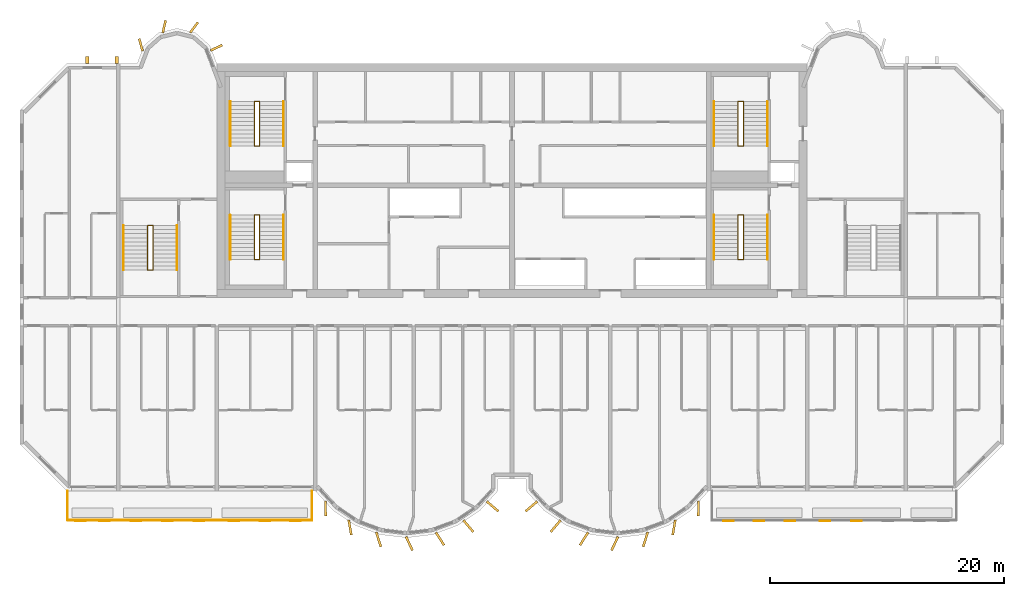
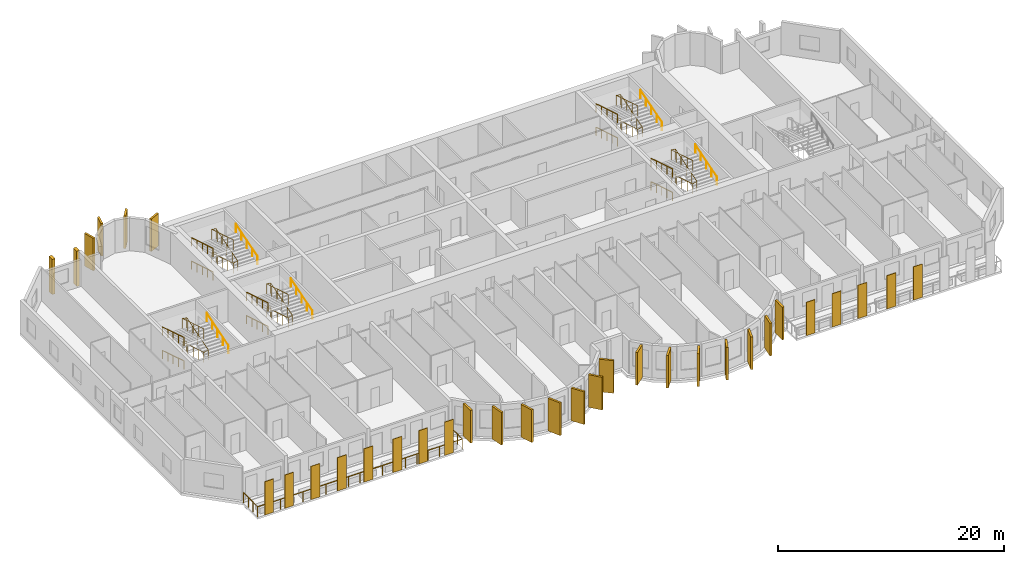
# One storey, part 11 of 13: 33 coverings, 21 railings.
"""IFC4 building model written with IfcOpenShell, lengths in metres."""

from ifc_helpers import new_model, si_unit, direction, frame, origin, origin_2d, place, context, subcontext, project, spatial, rectangle, circle, extrude, source, transform, mapped, material, layer, layer_set, material_profile, profile_set, type_object, element, save


model = new_model("IFC4")

# Units and contexts
model_context = context("Model", 3, precision=1e-05, world=origin(), true_north=direction((0.0, 1.0)))
body_context = subcontext(model_context, "Body", "Model", "MODEL_VIEW")
ifc_project = project(units=[si_unit("LENGTHUNIT", "METRE"), si_unit("AREAUNIT", "SQUARE_METRE"), si_unit("VOLUMEUNIT", "CUBIC_METRE"), si_unit("PLANEANGLEUNIT", "RADIAN"), si_unit("MASSUNIT", "GRAM", prefix="KILO")], contexts=[model_context])

# Site, building, storey
site_placement = place(None, origin())
site = spatial("IfcSite", under=ifc_project, at=site_placement, CompositionType="ELEMENT")
building_placement = place(site_placement, origin())
building = spatial("IfcBuilding", under=site, at=building_placement, Name="Vanashikhar Sky Hotel", CompositionType="ELEMENT")
storey_placement = place(building_placement, frame((0.0, 0.0, 174.39990234375)))
storey = spatial("IfcBuildingStorey", under=building, at=storey_placement, Name="L42", CompositionType="ELEMENT", Elevation=174.39990234375)

# Coverings
ifc_material_1 = material(Name="Terracotta", Category="masonry")
ifc_layer = layer(ifc_material_1, 0.06005859375)
ifc_layer_set = layer_set([ifc_layer], Name="Terracotta baguette screen")
covering_type_1 = type_object("IfcCoveringType", Name="Terracotta baguette screen", PredefinedType="CLADDING", material=ifc_layer_set)
shared_shape_1 = source(origin(), body_context, "Body", "SweptSolid", [
    extrude(rectangle(XDim=0.89990234375, YDim=0.06005859375, at=origin_2d()), origin(), (0.0, 0.0, 1.0), 3.60009765625),
])
for number, where, z_axis, x_axis, name in (
    (1, (13.574951171875, 2.929931640625, -0.050048828125), (0.0, 0.0, 1.0), (1.0, 0.0, 0.0), "Terracotta screen"),
    (2, (15.625, 2.929931640625, -0.050048828125), (0.0, 0.0, 1.0), (1.0, 0.0, 0.0), "Terracotta screen"),
    (3, (18.300048828125, 2.929931640625, -0.050048828125), (0.0, 0.0, 1.0), (1.0, 0.0, 0.0), "Terracotta screen"),
    (4, (21.0, 2.929931640625, -0.050048828125), (0.0, 0.0, 1.0), (1.0, 0.0, 0.0), "Terracotta screen"),
    (5, (23.699951171875, 2.929931640625, -0.050048828125), (0.0, 0.0, 1.0), (1.0, 0.0, 0.0), "Terracotta screen"),
    (6, (26.666748046875, 2.929931640625, -0.050048828125), (0.0, 0.0, 1.0), (1.0, 0.0, 0.0), "Terracotta screen"),
    (7, (29.300048828125, 2.929931640625, -0.050048828125), (0.0, 0.0, 1.0), (1.0, 0.0, 0.0), "Terracotta screen"),
    (8, (31.933349609375, 2.929931640625, -0.050048828125), (0.0, 0.0, 1.0), (1.0, 0.0, 0.0), "Terracotta screen"),
    (9, (68.86669921875, 2.929931640625, -0.050048828125), (0.0, 0.0, 1.0), (1.0, 0.0, 0.0), "Terracotta screen"),
    (10, (71.5, 2.929931640625, -0.050048828125), (0.0, 0.0, 1.0), (1.0, 0.0, 0.0), "Terracotta screen"),
    (11, (74.13330078125, 2.929931640625, -0.050048828125), (0.0, 0.0, 1.0), (1.0, 0.0, 0.0), "Terracotta screen"),
    (12, (77.10009765625, 2.929931640625, -0.050048828125), (0.0, 0.0, 1.0), (1.0, 0.0, 0.0), "Terracotta screen"),
    (13, (79.800048828125, 2.929931640625, -0.050048828125), (0.0, 0.0, 1.0), (1.0, 0.0, 0.0), "Terracotta screen"),
):
    element("IfcCovering", number, at=place(storey_placement, frame(where, z_axis=z_axis, x_axis=x_axis)), inside=storey, type_object=covering_type_1, Name=name, PredefinedType="CLADDING", context=body_context, shape_type="MappedRepresentation", body=[
        mapped(shared_shape_1, transform((0.0, 0.0, 0.0), scale=1.0)),
    ])
ifc_material_2 = material(Name="Concrete M60 dark", Category="concrete")
ifc_material_profile_1 = material_profile(ifc_material_2, rectangle(XDim=1.300048828125, YDim=0.199951171875, at=origin_2d()))
ifc_profile_set_1 = profile_set([ifc_material_profile_1], Name="Fin 1300 x 200")
covering_type_2 = type_object("IfcCoveringType", Name="Fin 1300 x 200", PredefinedType="CLADDING", material=ifc_profile_set_1)
shared_shape_2 = source(origin(), body_context, "Body", "SweptSolid", [
    extrude(rectangle(XDim=1.300048828125, YDim=0.199951171875, at=origin_2d()), origin(), (0.0, 0.0, 1.0), 3.52001953125),
])
for number, where, z_axis, x_axis, name in (
    (14, (34.482421875, 3.992919921875, 0.0), (0.0, 0.0, 1.0), (0.011588726826, -0.999932848451, 0.0), "Fin F1-1"),
    (15, (36.572509765625, 2.3779296875, 0.0), (0.0, 0.0, 1.0), (0.16989991575, -0.985461322746, 0.0), "Fin F1-2"),
    (16, (39.00830078125, 1.35693359375, 0.0), (0.0, 0.0, 1.0), (0.303966551867, -0.952682704444, 0.0), "Fin F1-3"),
    (17, (41.63232421875, 1.00146484375, 0.0), (0.0, 0.0, 1.0), (0.422618261741, -0.906307787037, 0.0), "Fin F1-4"),
    (18, (44.251953125, 1.416015625, 0.0), (0.0, 0.0, 1.0), (0.534411358496, -0.845224526331, 0.0), "Fin F1-5"),
    (19, (46.676025390625, 2.5, 0.0), (0.0, 0.0, 1.0), (0.645697609467, -0.763593214433, 0.0), "Fin F1-6"),
    (20, (48.7412109375, 4.1845703125, 0.0), (0.0, 0.0, 1.0), (0.758543912032, -0.65162192529, 0.0), "Fin F1-7"),
    (21, (52.058837890625, 4.1845703125, 0.0), (0.0, 0.0, 1.0), (-0.758543912032, -0.65162192529, 0.0), "Fin F2-1"),
    (22, (54.123779296875, 2.5, 0.0), (0.0, 0.0, 1.0), (-0.645697609467, -0.763593214433, 0.0), "Fin F2-2"),
    (23, (56.547119140625, 1.416015625, 0.0), (0.0, 0.0, 1.0), (-0.534411358496, -0.845224526331, 0.0), "Fin F2-3"),
    (24, (59.16748046875, 1.00146484375, 0.0), (0.0, 0.0, 1.0), (-0.422618261741, -0.906307787037, 0.0), "Fin F2-4"),
    (25, (61.790771484375, 1.35693359375, 0.0), (0.0, 0.0, 1.0), (-0.303966551867, -0.952682704444, 0.0), "Fin F2-5"),
    (26, (64.2275390625, 2.3779296875, 0.0), (0.0, 0.0, 1.0), (-0.16989991575, -0.985461322746, 0.0), "Fin F2-6"),
    (27, (66.317626953125, 3.992919921875, 0.0), (0.0, 0.0, 1.0), (-0.011588726826, -0.999932848451, 0.0), "Fin F2-7"),
):
    element("IfcCovering", number, at=place(storey_placement, frame(where, z_axis=z_axis, x_axis=x_axis)), inside=storey, type_object=covering_type_2, Name=name, PredefinedType="CLADDING", context=body_context, shape_type="MappedRepresentation", body=[
        mapped(shared_shape_2, transform((0.0, 0.0, 0.0), scale=1.0)),
    ])
ifc_material_profile_2 = material_profile(ifc_material_2, rectangle(XDim=1.10009765625, YDim=0.199951171875, at=origin_2d()))
ifc_profile_set_2 = profile_set([ifc_material_profile_2], Name="Rear lobe fin 1100 x 200")
covering_type_3 = type_object("IfcCoveringType", Name="Rear lobe fin 1100 x 200", PredefinedType="CLADDING", material=ifc_profile_set_2)
shared_shape_3 = source(origin(), body_context, "Body", "SweptSolid", [
    extrude(rectangle(XDim=1.10009765625, YDim=0.199951171875, at=origin_2d()), origin(), (0.0, 0.0, 1.0), 3.52001953125),
])
for number, where, z_axis, x_axis, name in (
    (28, (18.720703125, 43.580078125, 0.0), (0.0, 0.0, 1.0), (-0.262711264409, 0.964874495234, 0.0), "Fin R1-1"),
    (29, (20.710205078125, 45.1455078125, 0.0), (0.0, 0.0, 1.0), (0.224644935864, 0.974440687159, 0.0), "Fin R1-2"),
    (30, (23.261962890625, 45.06640625, 0.0), (0.0, 0.0, 1.0), (0.602065892195, 0.798446404874, 0.0), "Fin R1-3"),
    (31, (25.169677734375, 43.33447265625, 0.0), (0.0, 0.0, 1.0), (0.908004291068, 0.418960866193, 0.0), "Fin R1-4"),
):
    element("IfcCovering", number, at=place(storey_placement, frame(where, z_axis=z_axis, x_axis=x_axis)), inside=storey, type_object=covering_type_3, Name=name, PredefinedType="CLADDING", context=body_context, shape_type="MappedRepresentation", body=[
        mapped(shared_shape_3, transform((0.0, 0.0, 0.0), scale=1.0)),
    ])

# Railing
ifc_material_3 = material(Name="Stainless steel 316", Category="steel")
railing_type_1 = type_object("IfcRailingType", Name="Balcony guard 1100", PredefinedType="GUARDRAIL", material=ifc_material_3)
shared_shape_4 = source(origin(), body_context, "Body", "SweptSolid", [
    extrude(circle(Radius=0.02392578125, at=origin_2d()), frame((0.0, 0.0, 1.076171875), z_axis=(0.0, -1.0, 0.0), x_axis=(1.0, 0.0, 0.0)), (0.0, 0.0, 1.0), 2.5),
    extrude(circle(Radius=0.02392578125, at=origin_2d()), frame((0.0, -2.5, 1.076171875), z_axis=(1.0, 0.0, 0.0), x_axis=(0.0, 1.0, 0.0)), (0.0, 0.0, 1.0), 20.880126953125),
    extrude(circle(Radius=0.02392578125, at=origin_2d()), frame((20.880126953125, -2.5, 1.076171875), z_axis=(0.0, 1.0, 0.0), x_axis=(-1.0, 0.0, 0.0)), (0.0, 0.0, 1.0), 2.5),
    extrude(circle(Radius=0.02099609375, at=origin_2d()), origin(), (0.0, 0.0, 1.0), 1.052001953125),
    extrude(circle(Radius=0.02099609375, at=origin_2d()), frame((0.0, -0.833251953125, 0.0)), (0.0, 0.0, 1.0), 1.052001953125),
    extrude(circle(Radius=0.02099609375, at=origin_2d()), frame((0.0, -1.666748046875, 0.0)), (0.0, 0.0, 1.0), 1.052001953125),
    extrude(circle(Radius=0.02099609375, at=origin_2d()), frame((0.0, -2.5, 0.0)), (0.0, 0.0, 1.0), 1.052001953125),
    extrude(circle(Radius=0.02099609375, at=origin_2d()), frame((1.159912109375, -2.5, 0.0)), (0.0, 0.0, 1.0), 1.052001953125),
    extrude(circle(Radius=0.02099609375, at=origin_2d()), frame((2.320068359375, -2.5, 0.0)), (0.0, 0.0, 1.0), 1.052001953125),
    extrude(circle(Radius=0.02099609375, at=origin_2d()), frame((3.47998046875, -2.5, 0.0)), (0.0, 0.0, 1.0), 1.052001953125),
    extrude(circle(Radius=0.02099609375, at=origin_2d()), frame((4.64013671875, -2.5, 0.0)), (0.0, 0.0, 1.0), 1.052001953125),
    extrude(circle(Radius=0.02099609375, at=origin_2d()), frame((5.800048828125, -2.5, 0.0)), (0.0, 0.0, 1.0), 1.052001953125),
    extrude(circle(Radius=0.02099609375, at=origin_2d()), frame((6.9599609375, -2.5, 0.0)), (0.0, 0.0, 1.0), 1.052001953125),
    extrude(circle(Radius=0.02099609375, at=origin_2d()), frame((8.1201171875, -2.5, 0.0)), (0.0, 0.0, 1.0), 1.052001953125),
    extrude(circle(Radius=0.02099609375, at=origin_2d()), frame((9.280029296875, -2.5, 0.0)), (0.0, 0.0, 1.0), 1.052001953125),
    extrude(circle(Radius=0.02099609375, at=origin_2d()), frame((10.43994140625, -2.5, 0.0)), (0.0, 0.0, 1.0), 1.052001953125),
    extrude(circle(Radius=0.02099609375, at=origin_2d()), frame((11.60009765625, -2.5, 0.0)), (0.0, 0.0, 1.0), 1.052001953125),
    extrude(circle(Radius=0.02099609375, at=origin_2d()), frame((12.760009765625, -2.5, 0.0)), (0.0, 0.0, 1.0), 1.052001953125),
    extrude(circle(Radius=0.02099609375, at=origin_2d()), frame((13.920166015625, -2.5, 0.0)), (0.0, 0.0, 1.0), 1.052001953125),
    extrude(circle(Radius=0.02099609375, at=origin_2d()), frame((15.080078125, -2.5, 0.0)), (0.0, 0.0, 1.0), 1.052001953125),
    extrude(circle(Radius=0.02099609375, at=origin_2d()), frame((16.239990234375, -2.5, 0.0)), (0.0, 0.0, 1.0), 1.052001953125),
    extrude(circle(Radius=0.02099609375, at=origin_2d()), frame((17.400146484375, -2.5, 0.0)), (0.0, 0.0, 1.0), 1.052001953125),
    extrude(circle(Radius=0.02099609375, at=origin_2d()), frame((18.56005859375, -2.5, 0.0)), (0.0, 0.0, 1.0), 1.052001953125),
    extrude(circle(Radius=0.02099609375, at=origin_2d()), frame((19.72021484375, -2.5, 0.0)), (0.0, 0.0, 1.0), 1.052001953125),
    extrude(circle(Radius=0.02099609375, at=origin_2d()), frame((20.880126953125, -2.5, 0.0)), (0.0, 0.0, 1.0), 1.052001953125),
    extrude(circle(Radius=0.02099609375, at=origin_2d()), frame((20.880126953125, -1.666748046875, 0.0)), (0.0, 0.0, 1.0), 1.052001953125),
    extrude(circle(Radius=0.02099609375, at=origin_2d()), frame((20.880126953125, -0.833251953125, 0.0)), (0.0, 0.0, 1.0), 1.052001953125),
    extrude(circle(Radius=0.02099609375, at=origin_2d()), frame((20.880126953125, 0.0, 0.0)), (0.0, 0.0, 1.0), 1.052001953125),
])
railing_1_placement = place(storey_placement, frame((12.4599609375, 5.5, -0.0498046875)))
element("IfcRailing", 32, at=railing_1_placement, inside=storey, type_object=railing_type_1, Name="Balcony guard", PredefinedType="GUARDRAIL", context=body_context, shape_type="MappedRepresentation", body=[
    mapped(shared_shape_4, transform((0.0, 0.0, 0.0), scale=1.0)),
])

# Coverings
ifc_material_profile_3 = material_profile(ifc_material_2, rectangle(XDim=0.60009765625, YDim=0.300048828125, at=origin_2d()))
ifc_profile_set_3 = profile_set([ifc_material_profile_3], Name="Rear rib 600 x 300")
covering_type_4 = type_object("IfcCoveringType", Name="Rear rib 600 x 300", PredefinedType="CLADDING", material=ifc_profile_set_3)
shared_shape_5 = source(origin(), body_context, "Body", "SweptSolid", [
    extrude(rectangle(XDim=0.60009765625, YDim=0.300048828125, at=origin_2d()), origin(), (0.0, 0.0, 1.0), 3.7998046875),
])
for number, where, z_axis, x_axis, name in (
    (33, (14.14990234375, 42.300048828125, -0.27978515625), (0.0, 0.0, 1.0), (0.0, 1.0, 0.0), "Rear rib"),
    (34, (16.64990234375, 42.300048828125, -0.27978515625), (0.0, 0.0, 1.0), (0.0, 1.0, 0.0), "Rear rib"),
):
    element("IfcCovering", number, at=place(storey_placement, frame(where, z_axis=z_axis, x_axis=x_axis)), inside=storey, type_object=covering_type_4, Name=name, PredefinedType="CLADDING", context=body_context, shape_type="MappedRepresentation", body=[
        mapped(shared_shape_5, transform((0.0, 0.0, 0.0), scale=1.0)),
    ])

# Railings
ifc_material_4 = material(Name="Steel S355", Category="steel")
railing_type_2 = type_object("IfcRailingType", Name="Stair handrail 900", PredefinedType="HANDRAIL", material=ifc_material_4)
shared_shape_6 = source(origin(), body_context, "Body", "SweptSolid", [
    extrude(circle(Radius=0.02392578125, at=origin_2d()), frame((0.0, 0.0, 0.8759765625), z_axis=(0.0, 0.95635109408, 0.292220096591), x_axis=(-1.0, 0.0, 0.0)), (0.0, 0.0, 1.0), 3.973388671875),
    extrude(circle(Radius=0.02099609375, at=origin_2d()), origin(), (0.0, 0.0, 1.0), 0.851806640625),
    extrude(circle(Radius=0.02099609375, at=origin_2d()), frame((0.0, 0.949951171875, 0.290283203125)), (0.0, 0.0, 1.0), 0.851806640625),
    extrude(circle(Radius=0.02099609375, at=origin_2d()), frame((0.0, 1.89990234375, 0.58056640625)), (0.0, 0.0, 1.0), 0.851806640625),
    extrude(circle(Radius=0.02099609375, at=origin_2d()), frame((0.0, 2.85009765625, 0.870849609375)), (0.0, 0.0, 1.0), 0.851806640625),
    extrude(circle(Radius=0.02099609375, at=origin_2d()), frame((0.0, 3.800048828125, 1.1611328125)), (0.0, 0.0, 1.0), 0.851806640625),
])
for number, where, name in (
    (35, (30.89990234375, 25.25, 1.372314453125), "Exit stair 1 handrail"),
    (36, (72.199951171875, 25.25, 1.372314453125), "Exit stair 2 handrail"),
    (37, (30.89990234375, 34.949951171875, 1.372314453125), "Exit stair 5 handrail"),
    (38, (72.199951171875, 34.949951171875, 1.372314453125), "Exit stair 6 handrail"),
):
    element("IfcRailing", number, at=place(storey_placement, frame(where)), inside=storey, type_object=railing_type_2, Name=name, PredefinedType="HANDRAIL", context=body_context, shape_type="MappedRepresentation", body=[
        mapped(shared_shape_6, transform((0.0, 0.0, 0.0), scale=1.0)),
    ])
shared_shape_7 = source(origin(), body_context, "Body", "SweptSolid", [
    extrude(circle(Radius=0.02392578125, at=origin_2d()), frame((0.0, 0.0, 0.8759765625), z_axis=(0.0, -0.95635109408, 0.292220096591), x_axis=(1.0, 0.0, 0.0)), (0.0, 0.0, 1.0), 3.973388671875),
    extrude(circle(Radius=0.02099609375, at=origin_2d()), origin(), (0.0, 0.0, 1.0), 0.851806640625),
    extrude(circle(Radius=0.02099609375, at=origin_2d()), frame((0.0, -0.949951171875, 0.290283203125)), (0.0, 0.0, 1.0), 0.851806640625),
    extrude(circle(Radius=0.02099609375, at=origin_2d()), frame((0.0, -1.89990234375, 0.58056640625)), (0.0, 0.0, 1.0), 0.851806640625),
    extrude(circle(Radius=0.02099609375, at=origin_2d()), frame((0.0, -2.85009765625, 0.870849609375)), (0.0, 0.0, 1.0), 0.851806640625),
    extrude(circle(Radius=0.02099609375, at=origin_2d()), frame((0.0, -3.800048828125, 1.1611328125)), (0.0, 0.0, 1.0), 0.851806640625),
])
for number, where, name in (
    (39, (26.35009765625, 29.050048828125, 0.105712890625), "Exit stair 1 handrail"),
    (40, (26.35009765625, 29.050048828125, 2.638916015625), "Exit stair 1 handrail"),
    (41, (67.64990234375, 29.050048828125, 0.105712890625), "Exit stair 2 handrail"),
    (42, (67.64990234375, 29.050048828125, 2.638916015625), "Exit stair 2 handrail"),
    (43, (26.35009765625, 38.75, 0.105712890625), "Exit stair 5 handrail"),
    (44, (26.35009765625, 38.75, 2.638916015625), "Exit stair 5 handrail"),
    (45, (67.64990234375, 38.75, 0.105712890625), "Exit stair 6 handrail"),
    (46, (67.64990234375, 38.75, 2.638916015625), "Exit stair 6 handrail"),
):
    element("IfcRailing", number, at=place(storey_placement, frame(where)), inside=storey, type_object=railing_type_2, Name=name, PredefinedType="HANDRAIL", context=body_context, shape_type="MappedRepresentation", body=[
        mapped(shared_shape_7, transform((0.0, 0.0, 0.0), scale=1.0)),
    ])
railing_type_3 = type_object("IfcRailingType", Name="Stair guard 1100", PredefinedType="GUARDRAIL", material=ifc_material_4)
shared_shape_8 = source(origin(), body_context, "Body", "SweptSolid", [
    extrude(circle(Radius=0.02392578125, at=origin_2d()), frame((0.0, 0.0, 1.076171875), z_axis=(-0.973520925263, 0.0, 0.228597917917), x_axis=(0.0, -1.0, 0.0)), (0.0, 0.0, 1.0), 0.46240234375),
    extrude(circle(Radius=0.02392578125, at=origin_2d()), frame((-0.4501953125, 0.0, 1.181640625), z_axis=(0.0, -0.95635109408, 0.292220096591), x_axis=(1.0, 0.0, 0.0)), (0.0, 0.0, 1.0), 3.973388671875),
    extrude(circle(Radius=0.02392578125, at=origin_2d()), frame((-0.4501953125, -3.800048828125, 2.3427734375), z_axis=(0.973638301096, 0.0, 0.228097476179), x_axis=(0.0, 1.0, 0.0)), (0.0, 0.0, 1.0), 0.46240234375),
    extrude(circle(Radius=0.02392578125, at=origin_2d()), frame((0.0, -3.800048828125, 2.4482421875), z_axis=(0.0, 0.95635109408, 0.292220096591), x_axis=(-1.0, 0.0, 0.0)), (0.0, 0.0, 1.0), 3.973388671875),
    extrude(circle(Radius=0.02392578125, at=origin_2d()), frame((0.0, 0.0, 3.609375), z_axis=(-0.973638301096, 0.0, 0.228097476179), x_axis=(0.0, -1.0, 0.0)), (0.0, 0.0, 1.0), 0.46240234375),
    extrude(circle(Radius=0.02392578125, at=origin_2d()), frame((-0.4501953125, 0.0, 3.71484375), z_axis=(0.0, -0.95635109408, 0.292220096591), x_axis=(1.0, 0.0, 0.0)), (0.0, 0.0, 1.0), 3.973388671875),
    extrude(circle(Radius=0.02099609375, at=origin_2d()), origin(), (0.0, 0.0, 1.0), 1.052001953125),
    extrude(circle(Radius=0.02099609375, at=origin_2d()), frame((-0.4501953125, 0.0, 0.105712890625)), (0.0, 0.0, 1.0), 1.052001953125),
    extrude(circle(Radius=0.02099609375, at=origin_2d()), frame((-0.4501953125, -0.949951171875, 0.39599609375)), (0.0, 0.0, 1.0), 1.052001953125),
    extrude(circle(Radius=0.02099609375, at=origin_2d()), frame((-0.4501953125, -1.89990234375, 0.686279296875)), (0.0, 0.0, 1.0), 1.052001953125),
    extrude(circle(Radius=0.02099609375, at=origin_2d()), frame((-0.4501953125, -2.85009765625, 0.9765625)), (0.0, 0.0, 1.0), 1.052001953125),
    extrude(circle(Radius=0.02099609375, at=origin_2d()), frame((-0.4501953125, -3.800048828125, 1.266845703125)), (0.0, 0.0, 1.0), 1.052001953125),
    extrude(circle(Radius=0.02099609375, at=origin_2d()), frame((0.0, -3.800048828125, 1.372314453125)), (0.0, 0.0, 1.0), 1.052001953125),
    extrude(circle(Radius=0.02099609375, at=origin_2d()), frame((0.0, -2.85009765625, 1.66259765625)), (0.0, 0.0, 1.0), 1.052001953125),
    extrude(circle(Radius=0.02099609375, at=origin_2d()), frame((0.0, -1.89990234375, 1.952880859375)), (0.0, 0.0, 1.0), 1.052001953125),
    extrude(circle(Radius=0.02099609375, at=origin_2d()), frame((0.0, -0.949951171875, 2.2431640625)), (0.0, 0.0, 1.0), 1.052001953125),
    extrude(circle(Radius=0.02099609375, at=origin_2d()), frame((0.0, 0.0, 2.533447265625)), (0.0, 0.0, 1.0), 1.052001953125),
    extrude(circle(Radius=0.02099609375, at=origin_2d()), frame((-0.4501953125, 0.0, 2.638916015625)), (0.0, 0.0, 1.0), 1.052001953125),
    extrude(circle(Radius=0.02099609375, at=origin_2d()), frame((-0.4501953125, -0.949951171875, 2.92919921875)), (0.0, 0.0, 1.0), 1.052001953125),
    extrude(circle(Radius=0.02099609375, at=origin_2d()), frame((-0.4501953125, -1.89990234375, 3.219482421875)), (0.0, 0.0, 1.0), 1.052001953125),
    extrude(circle(Radius=0.02099609375, at=origin_2d()), frame((-0.4501953125, -2.85009765625, 3.509765625)), (0.0, 0.0, 1.0), 1.052001953125),
    extrude(circle(Radius=0.02099609375, at=origin_2d()), frame((-0.4501953125, -3.800048828125, 3.800048828125)), (0.0, 0.0, 1.0), 1.052001953125),
])
for number, where, name in (
    (47, (28.85009765625, 29.050048828125, 0.0), "Exit stair 1 guard"),
    (48, (28.85009765625, 38.75, 0.0), "Exit stair 5 guard"),
):
    element("IfcRailing", number, at=place(storey_placement, frame(where)), inside=storey, type_object=railing_type_3, Name=name, PredefinedType="GUARDRAIL", context=body_context, shape_type="MappedRepresentation", body=[
        mapped(shared_shape_8, transform((0.0, 0.0, 0.0), scale=1.0)),
    ])
shared_shape_9 = source(origin(), body_context, "Body", "SweptSolid", [
    extrude(circle(Radius=0.02392578125, at=origin_2d()), frame((0.0, 0.0, 1.076171875), z_axis=(-0.973493315427, 0.0, 0.228715466945), x_axis=(0.0, -1.0, 0.0)), (0.0, 0.0, 1.0), 0.462158203125),
    extrude(circle(Radius=0.02392578125, at=origin_2d()), frame((-0.449951171875, 0.0, 1.181640625), z_axis=(0.0, -0.95635109408, 0.292220096591), x_axis=(1.0, 0.0, 0.0)), (0.0, 0.0, 1.0), 3.973388671875),
    extrude(circle(Radius=0.02392578125, at=origin_2d()), frame((-0.449951171875, -3.800048828125, 2.3427734375), z_axis=(0.973610808694, 0.0, 0.228214796178), x_axis=(0.0, 1.0, 0.0)), (0.0, 0.0, 1.0), 0.462158203125),
    extrude(circle(Radius=0.02392578125, at=origin_2d()), frame((0.0, -3.800048828125, 2.4482421875), z_axis=(0.0, 0.95635109408, 0.292220096591), x_axis=(-1.0, 0.0, 0.0)), (0.0, 0.0, 1.0), 3.973388671875),
    extrude(circle(Radius=0.02392578125, at=origin_2d()), frame((0.0, 0.0, 3.609375), z_axis=(-0.973610808694, 0.0, 0.228214796178), x_axis=(0.0, -1.0, 0.0)), (0.0, 0.0, 1.0), 0.462158203125),
    extrude(circle(Radius=0.02392578125, at=origin_2d()), frame((-0.449951171875, 0.0, 3.71484375), z_axis=(0.0, -0.95635109408, 0.292220096591), x_axis=(1.0, 0.0, 0.0)), (0.0, 0.0, 1.0), 3.973388671875),
    extrude(circle(Radius=0.02099609375, at=origin_2d()), origin(), (0.0, 0.0, 1.0), 1.052001953125),
    extrude(circle(Radius=0.02099609375, at=origin_2d()), frame((-0.449951171875, 0.0, 0.105712890625)), (0.0, 0.0, 1.0), 1.052001953125),
    extrude(circle(Radius=0.02099609375, at=origin_2d()), frame((-0.449951171875, -0.949951171875, 0.39599609375)), (0.0, 0.0, 1.0), 1.052001953125),
    extrude(circle(Radius=0.02099609375, at=origin_2d()), frame((-0.449951171875, -1.89990234375, 0.686279296875)), (0.0, 0.0, 1.0), 1.052001953125),
    extrude(circle(Radius=0.02099609375, at=origin_2d()), frame((-0.449951171875, -2.85009765625, 0.9765625)), (0.0, 0.0, 1.0), 1.052001953125),
    extrude(circle(Radius=0.02099609375, at=origin_2d()), frame((-0.449951171875, -3.800048828125, 1.266845703125)), (0.0, 0.0, 1.0), 1.052001953125),
    extrude(circle(Radius=0.02099609375, at=origin_2d()), frame((0.0, -3.800048828125, 1.372314453125)), (0.0, 0.0, 1.0), 1.052001953125),
    extrude(circle(Radius=0.02099609375, at=origin_2d()), frame((0.0, -2.85009765625, 1.66259765625)), (0.0, 0.0, 1.0), 1.052001953125),
    extrude(circle(Radius=0.02099609375, at=origin_2d()), frame((0.0, -1.89990234375, 1.952880859375)), (0.0, 0.0, 1.0), 1.052001953125),
    extrude(circle(Radius=0.02099609375, at=origin_2d()), frame((0.0, -0.949951171875, 2.2431640625)), (0.0, 0.0, 1.0), 1.052001953125),
    extrude(circle(Radius=0.02099609375, at=origin_2d()), frame((0.0, 0.0, 2.533447265625)), (0.0, 0.0, 1.0), 1.052001953125),
    extrude(circle(Radius=0.02099609375, at=origin_2d()), frame((-0.449951171875, 0.0, 2.638916015625)), (0.0, 0.0, 1.0), 1.052001953125),
    extrude(circle(Radius=0.02099609375, at=origin_2d()), frame((-0.449951171875, -0.949951171875, 2.92919921875)), (0.0, 0.0, 1.0), 1.052001953125),
    extrude(circle(Radius=0.02099609375, at=origin_2d()), frame((-0.449951171875, -1.89990234375, 3.219482421875)), (0.0, 0.0, 1.0), 1.052001953125),
    extrude(circle(Radius=0.02099609375, at=origin_2d()), frame((-0.449951171875, -2.85009765625, 3.509765625)), (0.0, 0.0, 1.0), 1.052001953125),
    extrude(circle(Radius=0.02099609375, at=origin_2d()), frame((-0.449951171875, -3.800048828125, 3.800048828125)), (0.0, 0.0, 1.0), 1.052001953125),
])
for number, where, name in (
    (49, (70.14990234375, 29.050048828125, 0.0), "Exit stair 2 guard"),
    (50, (70.14990234375, 38.75, 0.0), "Exit stair 6 guard"),
):
    element("IfcRailing", number, at=place(storey_placement, frame(where)), inside=storey, type_object=railing_type_3, Name=name, PredefinedType="GUARDRAIL", context=body_context, shape_type="MappedRepresentation", body=[
        mapped(shared_shape_9, transform((0.0, 0.0, 0.0), scale=1.0)),
    ])
shared_shape_10 = source(origin(), body_context, "Body", "SweptSolid", [
    extrude(circle(Radius=0.02392578125, at=origin_2d()), frame((0.0, 0.0, 0.8759765625), z_axis=(0.0, 0.956345846891, 0.292237268557), x_axis=(-1.0, 0.0, 0.0)), (0.0, 0.0, 1.0), 3.97314453125),
    extrude(circle(Radius=0.02099609375, at=origin_2d()), origin(), (0.0, 0.0, 1.0), 0.851806640625),
    extrude(circle(Radius=0.02099609375, at=origin_2d()), frame((0.0, 0.949951171875, 0.290283203125)), (0.0, 0.0, 1.0), 0.851806640625),
    extrude(circle(Radius=0.02099609375, at=origin_2d()), frame((0.0, 1.89990234375, 0.58056640625)), (0.0, 0.0, 1.0), 0.851806640625),
    extrude(circle(Radius=0.02099609375, at=origin_2d()), frame((0.0, 2.849853515625, 0.870849609375)), (0.0, 0.0, 1.0), 0.851806640625),
    extrude(circle(Radius=0.02099609375, at=origin_2d()), frame((0.0, 3.7998046875, 1.1611328125)), (0.0, 0.0, 1.0), 0.851806640625),
])
railing_2_placement = place(storey_placement, frame((21.800048828125, 24.35009765625, 1.372314453125)))
element("IfcRailing", 51, at=railing_2_placement, inside=storey, type_object=railing_type_2, Name="Exit stair 3 handrail", PredefinedType="HANDRAIL", context=body_context, shape_type="MappedRepresentation", body=[
    mapped(shared_shape_10, transform((0.0, 0.0, 0.0), scale=1.0)),
])
shared_shape_11 = source(origin(), body_context, "Body", "SweptSolid", [
    extrude(circle(Radius=0.02392578125, at=origin_2d()), frame((0.0, 0.0, 0.8759765625), z_axis=(0.0, -0.956345846891, 0.292237268557), x_axis=(1.0, 0.0, 0.0)), (0.0, 0.0, 1.0), 3.97314453125),
    extrude(circle(Radius=0.02099609375, at=origin_2d()), origin(), (0.0, 0.0, 1.0), 0.851806640625),
    extrude(circle(Radius=0.02099609375, at=origin_2d()), frame((0.0, -0.949951171875, 0.290283203125)), (0.0, 0.0, 1.0), 0.851806640625),
    extrude(circle(Radius=0.02099609375, at=origin_2d()), frame((0.0, -1.89990234375, 0.58056640625)), (0.0, 0.0, 1.0), 0.851806640625),
    extrude(circle(Radius=0.02099609375, at=origin_2d()), frame((0.0, -2.849853515625, 0.870849609375)), (0.0, 0.0, 1.0), 0.851806640625),
    extrude(circle(Radius=0.02099609375, at=origin_2d()), frame((0.0, -3.7998046875, 1.1611328125)), (0.0, 0.0, 1.0), 0.851806640625),
])
for number, where, name in (
    (52, (17.25, 28.14990234375, 0.105712890625), "Exit stair 3 handrail"),
    (53, (17.25, 28.14990234375, 2.638916015625), "Exit stair 3 handrail"),
):
    element("IfcRailing", number, at=place(storey_placement, frame(where)), inside=storey, type_object=railing_type_2, Name=name, PredefinedType="HANDRAIL", context=body_context, shape_type="MappedRepresentation", body=[
        mapped(shared_shape_11, transform((0.0, 0.0, 0.0), scale=1.0)),
    ])
shared_shape_12 = source(origin(), body_context, "Body", "SweptSolid", [
    extrude(circle(Radius=0.02392578125, at=origin_2d()), frame((0.0, 0.0, 1.076171875), z_axis=(-0.973493315427, 0.0, 0.228715466945), x_axis=(0.0, -1.0, 0.0)), (0.0, 0.0, 1.0), 0.462158203125),
    extrude(circle(Radius=0.02392578125, at=origin_2d()), frame((-0.449951171875, 0.0, 1.181640625), z_axis=(0.0, -0.956345846891, 0.292237268557), x_axis=(1.0, 0.0, 0.0)), (0.0, 0.0, 1.0), 3.97314453125),
    extrude(circle(Radius=0.02392578125, at=origin_2d()), frame((-0.449951171875, -3.7998046875, 2.3427734375), z_axis=(0.973610808694, 0.0, 0.228214796178), x_axis=(0.0, 1.0, 0.0)), (0.0, 0.0, 1.0), 0.462158203125),
    extrude(circle(Radius=0.02392578125, at=origin_2d()), frame((0.0, -3.7998046875, 2.4482421875), z_axis=(0.0, 0.956345846891, 0.292237268557), x_axis=(-1.0, 0.0, 0.0)), (0.0, 0.0, 1.0), 3.97314453125),
    extrude(circle(Radius=0.02392578125, at=origin_2d()), frame((0.0, 0.0, 3.609375), z_axis=(-0.973610808694, 0.0, 0.228214796178), x_axis=(0.0, -1.0, 0.0)), (0.0, 0.0, 1.0), 0.462158203125),
    extrude(circle(Radius=0.02392578125, at=origin_2d()), frame((-0.449951171875, 0.0, 3.71484375), z_axis=(0.0, -0.956345846891, 0.292237268557), x_axis=(1.0, 0.0, 0.0)), (0.0, 0.0, 1.0), 3.97314453125),
    extrude(circle(Radius=0.02099609375, at=origin_2d()), origin(), (0.0, 0.0, 1.0), 1.052001953125),
    extrude(circle(Radius=0.02099609375, at=origin_2d()), frame((-0.449951171875, 0.0, 0.105712890625)), (0.0, 0.0, 1.0), 1.052001953125),
    extrude(circle(Radius=0.02099609375, at=origin_2d()), frame((-0.449951171875, -0.949951171875, 0.39599609375)), (0.0, 0.0, 1.0), 1.052001953125),
    extrude(circle(Radius=0.02099609375, at=origin_2d()), frame((-0.449951171875, -1.89990234375, 0.686279296875)), (0.0, 0.0, 1.0), 1.052001953125),
    extrude(circle(Radius=0.02099609375, at=origin_2d()), frame((-0.449951171875, -2.849853515625, 0.9765625)), (0.0, 0.0, 1.0), 1.052001953125),
    extrude(circle(Radius=0.02099609375, at=origin_2d()), frame((-0.449951171875, -3.7998046875, 1.266845703125)), (0.0, 0.0, 1.0), 1.052001953125),
    extrude(circle(Radius=0.02099609375, at=origin_2d()), frame((0.0, -3.7998046875, 1.372314453125)), (0.0, 0.0, 1.0), 1.052001953125),
    extrude(circle(Radius=0.02099609375, at=origin_2d()), frame((0.0, -2.849853515625, 1.66259765625)), (0.0, 0.0, 1.0), 1.052001953125),
    extrude(circle(Radius=0.02099609375, at=origin_2d()), frame((0.0, -1.89990234375, 1.952880859375)), (0.0, 0.0, 1.0), 1.052001953125),
    extrude(circle(Radius=0.02099609375, at=origin_2d()), frame((0.0, -0.949951171875, 2.2431640625)), (0.0, 0.0, 1.0), 1.052001953125),
    extrude(circle(Radius=0.02099609375, at=origin_2d()), frame((0.0, 0.0, 2.533447265625)), (0.0, 0.0, 1.0), 1.052001953125),
    extrude(circle(Radius=0.02099609375, at=origin_2d()), frame((-0.449951171875, 0.0, 2.638916015625)), (0.0, 0.0, 1.0), 1.052001953125),
    extrude(circle(Radius=0.02099609375, at=origin_2d()), frame((-0.449951171875, -0.949951171875, 2.92919921875)), (0.0, 0.0, 1.0), 1.052001953125),
    extrude(circle(Radius=0.02099609375, at=origin_2d()), frame((-0.449951171875, -1.89990234375, 3.219482421875)), (0.0, 0.0, 1.0), 1.052001953125),
    extrude(circle(Radius=0.02099609375, at=origin_2d()), frame((-0.449951171875, -2.849853515625, 3.509765625)), (0.0, 0.0, 1.0), 1.052001953125),
    extrude(circle(Radius=0.02099609375, at=origin_2d()), frame((-0.449951171875, -3.7998046875, 3.800048828125)), (0.0, 0.0, 1.0), 1.052001953125),
])
railing_3_placement = place(storey_placement, frame((19.75, 28.14990234375, 0.0)))
element("IfcRailing", 54, at=railing_3_placement, inside=storey, type_object=railing_type_3, Name="Exit stair 3 guard", PredefinedType="GUARDRAIL", context=body_context, shape_type="MappedRepresentation", body=[
    mapped(shared_shape_12, transform((0.0, 0.0, 0.0), scale=1.0)),
])

save(model, "model.ifc")
